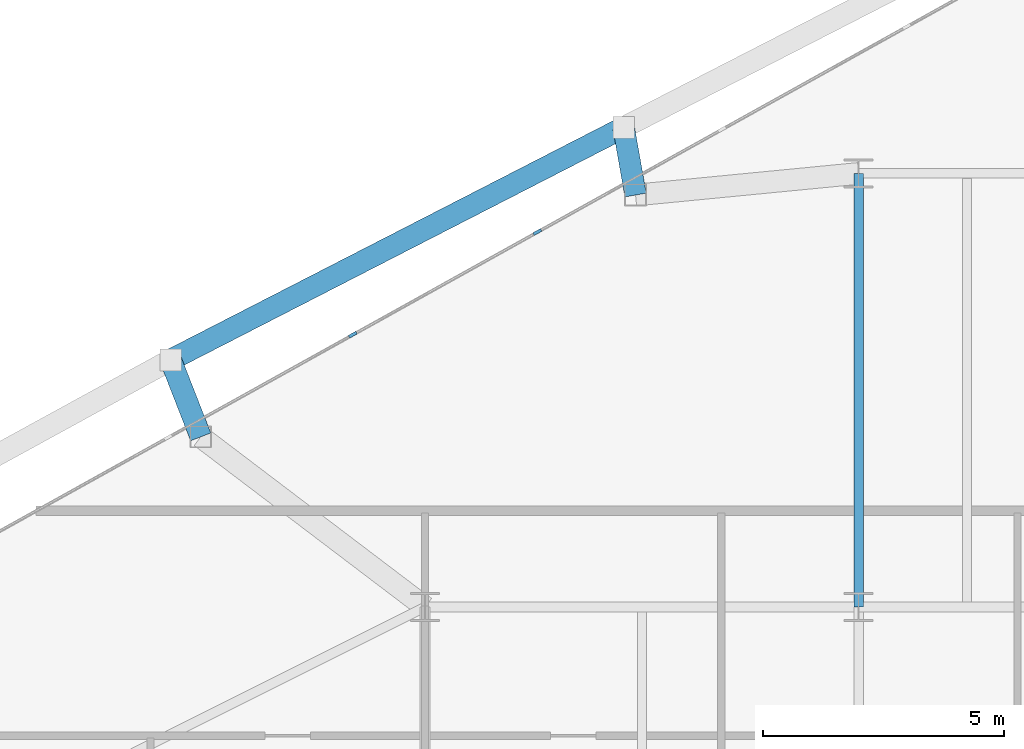
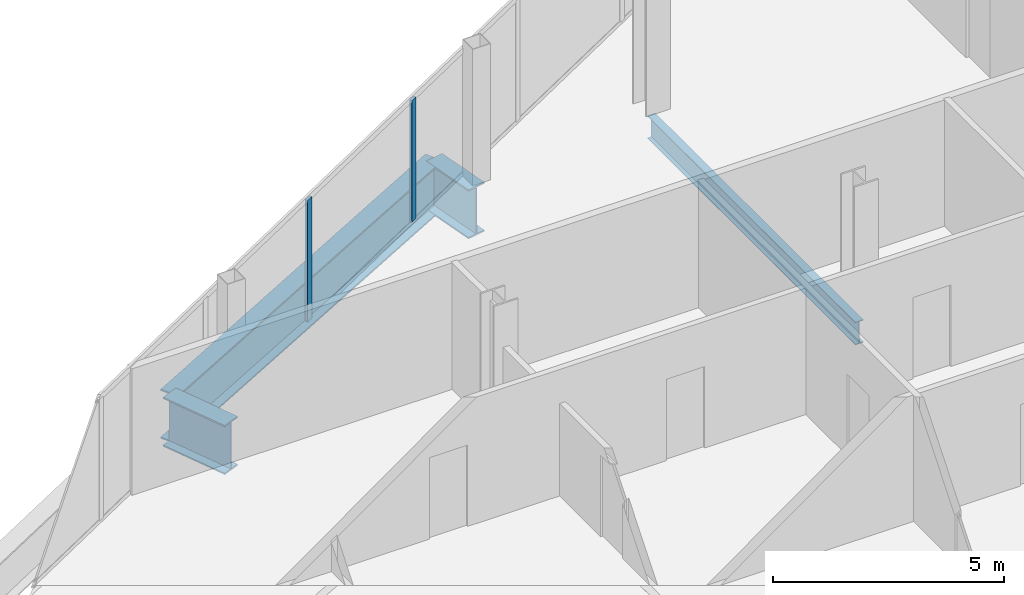
# One storey, part 8 of 28: 4 beams, 2 members, 1 element without a shape of its own.
"""IFC4 building model written with IfcOpenShell, lengths in metres."""

from ifc_helpers import new_model, si_unit, direction, frame, origin, origin_2d, place, context, subcontext, project, spatial, rectangle, i_section, extrude, source, transform, mapped, material, layer, layer_set, material_profile, profile_set, type_object, type_shapes, element, aggregate, save


model = new_model("IFC4")

# Units and contexts
model_context = context("Model", 3, precision=1e-05, world=origin(), true_north=direction((0.0, 1.0)))
body_context = subcontext(model_context, "Body", "Model", "MODEL_VIEW")
ifc_project = project(units=[si_unit("LENGTHUNIT", "METRE"), si_unit("AREAUNIT", "SQUARE_METRE"), si_unit("VOLUMEUNIT", "CUBIC_METRE"), si_unit("PLANEANGLEUNIT", "RADIAN"), si_unit("MASSUNIT", "GRAM", prefix="KILO")], contexts=[model_context])

# Site, building, storey
site_placement = place(None, origin())
site = spatial("IfcSite", under=ifc_project, at=site_placement, CompositionType="ELEMENT")
building_placement = place(site_placement, origin())
building = spatial("IfcBuilding", under=site, at=building_placement, Name="Seokmaru Belvedere", CompositionType="ELEMENT")
storey_placement = place(building_placement, frame((0.0, 0.0, 158.39990234375)))
storey = spatial("IfcBuildingStorey", under=building, at=storey_placement, Name="L42", CompositionType="ELEMENT", Elevation=158.39990234375)

# Beams
ifc_material_1 = material(Name="Steel SM355 (355 MPa)", Category="steel")
ifc_material_profile_1 = material_profile(ifc_material_1, i_section(OverallWidth=0.199951171875, OverallDepth=0.60009765625, WebThickness=0.010986328125, FlangeThickness=0.01708984375, at=origin_2d()), Name="H-600x200x11x17")
ifc_profile_set_1 = profile_set([ifc_material_profile_1], Name="Steel SM355 (355 MPa)")
beam_type_1 = type_object("IfcBeamType", Name="Primary Floor Girder H-600", PredefinedType="BEAM", material=ifc_profile_set_1)
shared_shape_1 = source(origin(), body_context, "Body", "SweptSolid", [
    extrude(i_section(OverallWidth=0.199951171875, OverallDepth=0.60009765625, WebThickness=0.010986328125, FlangeThickness=0.01708984375, at=origin_2d()), origin(), (0.0, 0.0, 1.0), 9.0),
])
type_shapes(beam_type_1, [shared_shape_1])
beam_1_placement = place(storey_placement, frame((-45.5, 4.5, -0.52001953125), z_axis=(0.0, 1.0, 0.0), x_axis=(-1.0, 0.0, 0.0)))
element("IfcBeam", 1, at=beam_1_placement, inside=storey, type_object=beam_type_1, Name="L42 W Interior Grid Girder 3", PredefinedType="BEAM", context=body_context, shape_type="MappedRepresentation", body=[
    mapped(shared_shape_1, transform((0.0, 0.0, 0.0), scale=1.0)),
])
ifc_material_2 = material(Name="Steel HSA650 (650 MPa)", Category="steel")
ifc_material_profile_2 = material_profile(ifc_material_2, i_section(OverallWidth=0.449951171875, OverallDepth=1.300048828125, WebThickness=0.02197265625, FlangeThickness=0.0380859375, at=origin_2d()), Name="BH-1300x450x22x38")
ifc_profile_set_2 = profile_set([ifc_material_profile_2], Name="Steel HSA650 (650 MPa)")
beam_type_2 = type_object("IfcBeamType", Name="Observatory Long-Span Roof Girder BH-1300", PredefinedType="BEAM", material=ifc_profile_set_2)
shared_shape_2 = source(origin(), body_context, "Body", "SweptSolid", [
    extrude(i_section(OverallWidth=0.449951171875, OverallDepth=1.300048828125, WebThickness=0.02197265625, FlangeThickness=0.0380859375, at=origin_2d()), origin(), (0.0, 0.0, 1.0), 10.56689453125),
])
beam_2_placement = place(storey_placement, frame((-50.377197265625, 14.453369140625, -0.869873046875), z_axis=(-0.889692588006, -0.456560071455, 0.0), x_axis=(0.456560071455, -0.889692588006, 0.0)))
element("IfcBeam", 2, at=beam_2_placement, inside=storey, type_object=beam_type_2, Name="L42 W Faceted Flank Spandrel N-3", PredefinedType="BEAM", context=body_context, shape_type="MappedRepresentation", body=[
    mapped(shared_shape_2, transform((0.0, 0.0, 0.0), scale=1.0)),
])
shared_shape_3 = source(origin(), body_context, "Body", "SweptSolid", [
    extrude(i_section(OverallWidth=0.449951171875, OverallDepth=1.300048828125, WebThickness=0.02197265625, FlangeThickness=0.0380859375, at=origin_2d()), origin(), (0.0, 0.0, 1.0), 1.424072265625),
])
beam_3_placement = place(storey_placement, frame((-50.377197265625, 14.453369140625, -0.869873046875), z_axis=(0.174176510903, -0.984714447467, 0.0), x_axis=(0.984714447467, 0.174176510903, 0.0)))
element("IfcBeam", 3, at=beam_3_placement, inside=storey, type_object=beam_type_2, Name="L42 W Flank Setback Step Girder N-2", PredefinedType="BEAM", context=body_context, shape_type="MappedRepresentation", body=[
    mapped(shared_shape_3, transform((0.0, 0.0, 0.0), scale=1.0)),
])
shared_shape_4 = source(origin(), body_context, "Body", "SweptSolid", [
    extrude(i_section(OverallWidth=0.449951171875, OverallDepth=1.300048828125, WebThickness=0.02197265625, FlangeThickness=0.0380859375, at=origin_2d()), origin(), (0.0, 0.0, 1.0), 1.715087890625),
])
type_shapes(beam_type_2, [shared_shape_2, shared_shape_3, shared_shape_4])
beam_4_placement = place(storey_placement, frame((-59.778564453125, 9.62890625, -0.869873046875), z_axis=(0.36386789594, -0.931450564606, 0.0), x_axis=(0.931450564606, 0.36386789594, 0.0)))
element("IfcBeam", 4, at=beam_4_placement, inside=storey, type_object=beam_type_2, Name="L42 W Flank Setback Step Girder N-3", PredefinedType="BEAM", context=body_context, shape_type="MappedRepresentation", body=[
    mapped(shared_shape_4, transform((0.0, 0.0, 0.0), scale=1.0)),
])

# Curtain wall, members
ifc_material_3 = material(Name="Bronze Triple Insulating Glass", Category="glass")
ifc_layer = layer(ifc_material_3, 0.179931640625)
ifc_layer_set = layer_set([ifc_layer], Name="Bronze Triple Insulating Glass")
curtain_wall_type = type_object("IfcCurtainWallType", Name="High-Rise Wind-Corner Curtain Wall System CW-5", PredefinedType="NOTDEFINED", material=ifc_layer_set)
curtain_wall_placement = place(storey_placement, origin())
curtain_wall = element("IfcCurtainWall", 5, at=curtain_wall_placement, inside=storey, type_object=curtain_wall_type, Name="L42 Curtain Wall WF3", PredefinedType="NOTDEFINED")
ifc_material_4 = material(Name="Anodised Bronze Aluminium", Category="aluminium")
ifc_material_profile_3 = material_profile(ifc_material_4, rectangle(XDim=0.06494140625, YDim=0.179931640625, at=origin_2d()), Name="CW-M-65x180")
ifc_profile_set_3 = profile_set([ifc_material_profile_3], Name="Anodised Bronze Aluminium")
member_type = type_object("IfcMemberType", Name="Bronze Unitised Mullion 65x180", PredefinedType="MULLION", material=ifc_profile_set_3)
shared_shape_5 = source(origin(), body_context, "Body", "SweptSolid", [
    extrude(rectangle(XDim=0.06494140625, YDim=0.179931640625, at=origin_2d()), origin(), (0.0, 0.0, 1.0), 3.2099609375),
])
type_shapes(member_type, [shared_shape_5])
member_1_placement = place(storey_placement, frame((-52.166015625, 12.2841796875, 0.065185546875), z_axis=(0.0, 0.0, 1.0), x_axis=(0.486047125147, -0.873932601598, 0.0)))
member_1 = element("IfcMember", 6, at=member_1_placement, type_object=member_type, Name="CW:L42:WF3 Mullion 6", PredefinedType="MULLION", context=body_context, shape_type="MappedRepresentation", body=[
    mapped(shared_shape_5, transform((0.0, 0.0, 0.0), scale=1.0)),
])
member_2_placement = place(storey_placement, frame((-55.998291015625, 10.153076171875, 0.065185546875), z_axis=(0.0, 0.0, 1.0), x_axis=(0.486047125147, -0.873932601598, 0.0)))
member_2 = element("IfcMember", 7, at=member_2_placement, type_object=member_type, Name="CW:L42:WF3 Mullion 7", PredefinedType="MULLION", context=body_context, shape_type="MappedRepresentation", body=[
    mapped(shared_shape_5, transform((0.0, 0.0, 0.0), scale=1.0)),
])
aggregate(curtain_wall, [member_1, member_2])

save(model, "model.ifc")
